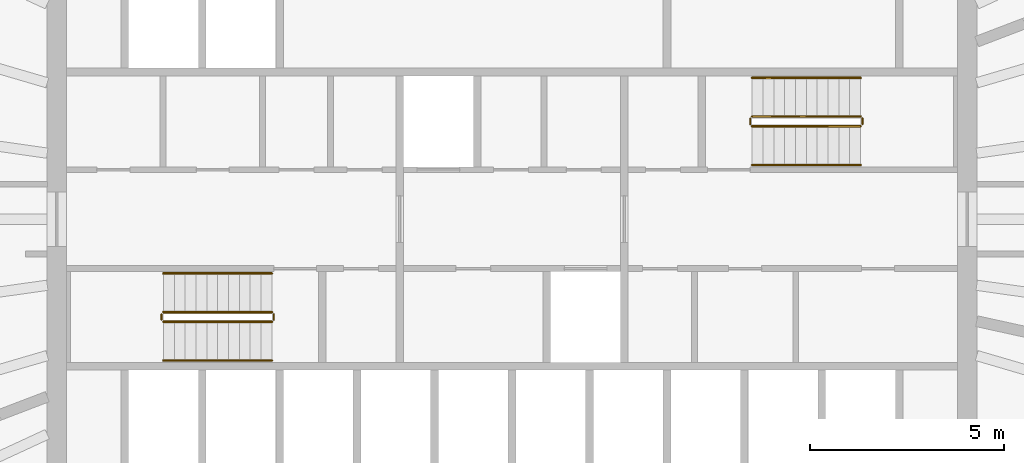
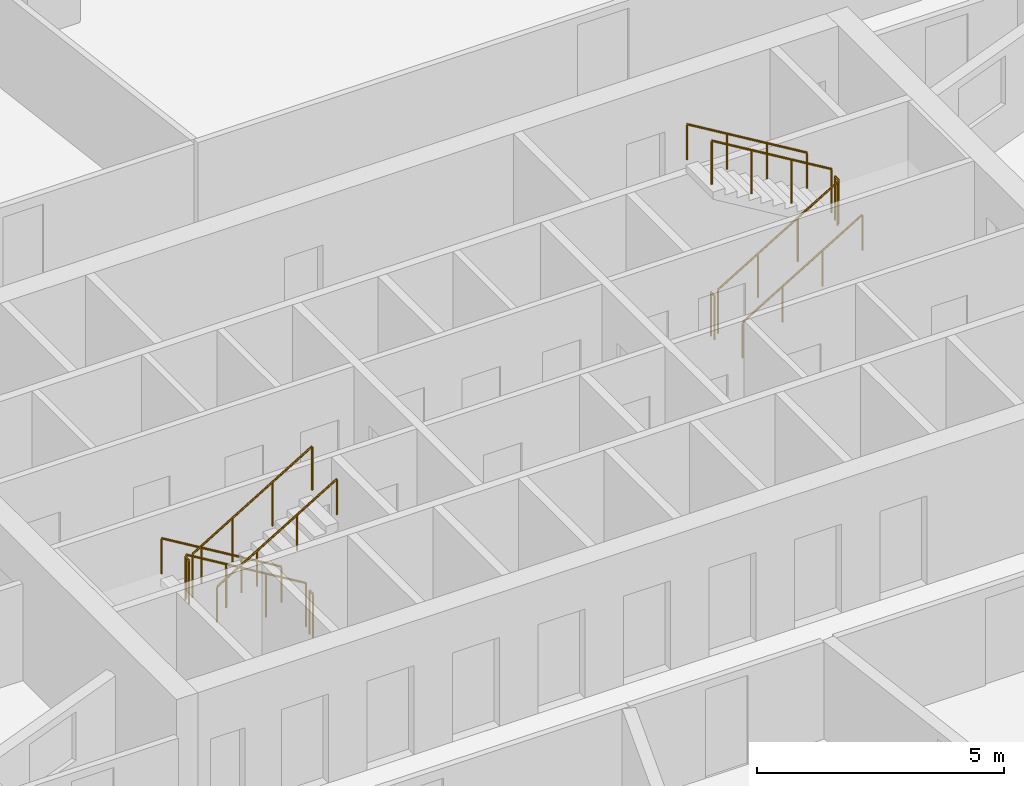
# One storey, part 12 of 12: 12 railings.
"""IFC4 building model written with IfcOpenShell, lengths in metres."""

from ifc_helpers import new_model, si_unit, direction, frame, origin, origin_2d, place, context, subcontext, project, spatial, circle, extrude, material, type_object, element, save


model = new_model("IFC4")

# Units and contexts
model_context = context("Model", 3, precision=1e-05, world=origin(), true_north=direction((0.0, 1.0)))
body_context = subcontext(model_context, "Body", "Model", "MODEL_VIEW")
ifc_project = project(units=[si_unit("LENGTHUNIT", "METRE"), si_unit("AREAUNIT", "SQUARE_METRE"), si_unit("VOLUMEUNIT", "CUBIC_METRE"), si_unit("PLANEANGLEUNIT", "RADIAN"), si_unit("MASSUNIT", "GRAM", prefix="KILO")], contexts=[model_context])

# Site, building, storey
site_placement = place(None, origin())
site = spatial("IfcSite", under=ifc_project, at=site_placement, CompositionType="ELEMENT")
building_placement = place(site_placement, origin())
building = spatial("IfcBuilding", under=site, at=building_placement, Name="Siaravel Broadcast Tower", CompositionType="ELEMENT")
storey_placement = place(building_placement, frame((0.0, 0.0, 137.800048828125)))
storey = spatial("IfcBuildingStorey", under=building, at=storey_placement, Name="L33", CompositionType="ELEMENT", Elevation=137.800048828125)

# Railings
ifc_material = material(Name="Stainless steel 316L", Category="steel")
railing_type_1 = type_object("IfcRailingType", Name="Stair guard 1100", PredefinedType="GUARDRAIL", material=ifc_material)
railing_1_placement = place(storey_placement, frame((-6.199951171875, -2.39990234375, 0.168212890625)))
element("IfcRailing", 1, at=railing_1_placement, inside=storey, type_object=railing_type_1, Name="L33 ST-1 stair guard 1", PredefinedType="GUARDRAIL", context=body_context, shape_type="SweptSolid", body=[
    extrude(circle(Radius=0.02392578125, at=origin_2d()), frame((0.0, 0.0, 1.076171875), z_axis=(-0.857275203, 0.0, 0.514858453), x_axis=(0.0, -1.0, 0.0)), (0.0, 0.0, 1.0), 3.26611328125),
    extrude(circle(Radius=0.02099609375, at=origin_2d()), origin(), (0.0, 0.0, 1.0), 1.052001953125),
    extrude(circle(Radius=0.02099609375, at=origin_2d()), frame((-0.933349609375, 0.0, 0.560546875)), (0.0, 0.0, 1.0), 1.052001953125),
    extrude(circle(Radius=0.02099609375, at=origin_2d()), frame((-1.86669921875, 0.0, 1.12109375)), (0.0, 0.0, 1.0), 1.052001953125),
    extrude(circle(Radius=0.02099609375, at=origin_2d()), frame((-2.800048828125, 0.0, 1.681640625)), (0.0, 0.0, 1.0), 1.052001953125),
])
railing_2_placement = place(storey_placement, frame((-9.050048828125, -2.449951171875, 1.849853515625)))
element("IfcRailing", 2, at=railing_2_placement, inside=storey, type_object=railing_type_1, Name="L33 ST-1 stair guard 2", PredefinedType="GUARDRAIL", context=body_context, shape_type="SweptSolid", body=[
    extrude(circle(Radius=0.02392578125, at=origin_2d()), frame((0.0, 0.0, 1.076171875), z_axis=(0.0, -1.0, 0.0), x_axis=(1.0, 0.0, 0.0)), (0.0, 0.0, 1.0), 0.150146484375),
    extrude(circle(Radius=0.02099609375, at=origin_2d()), origin(), (0.0, 0.0, 1.0), 1.052001953125),
    extrude(circle(Radius=0.02099609375, at=origin_2d()), frame((0.0, -0.150146484375, 0.0)), (0.0, 0.0, 1.0), 1.052001953125),
])
railing_3_placement = place(storey_placement, frame((-9.0, -2.64990234375, 2.01806640625)))
element("IfcRailing", 3, at=railing_3_placement, inside=storey, type_object=railing_type_1, Name="L33 ST-1 stair guard 3", PredefinedType="GUARDRAIL", context=body_context, shape_type="SweptSolid", body=[
    extrude(circle(Radius=0.02392578125, at=origin_2d()), frame((0.0, 0.0, 1.076171875), z_axis=(0.857242211, 0.0, 0.514913383), x_axis=(0.0, 1.0, 0.0)), (0.0, 0.0, 1.0), 3.266357421875),
    extrude(circle(Radius=0.02099609375, at=origin_2d()), origin(), (0.0, 0.0, 1.0), 1.052001953125),
    extrude(circle(Radius=0.02099609375, at=origin_2d()), frame((0.933349609375, 0.0, 0.560546875)), (0.0, 0.0, 1.0), 1.052001953125),
    extrude(circle(Radius=0.02099609375, at=origin_2d()), frame((1.86669921875, 0.0, 1.121337890625)), (0.0, 0.0, 1.0), 1.052001953125),
    extrude(circle(Radius=0.02099609375, at=origin_2d()), frame((2.800048828125, 0.0, 1.681884765625)), (0.0, 0.0, 1.0), 1.052001953125),
])
railing_4_placement = place(storey_placement, frame((-6.14990234375, -2.449951171875, 0.0)))
element("IfcRailing", 4, at=railing_4_placement, inside=storey, type_object=railing_type_1, Name="L33 ST-1 stair guard 4", PredefinedType="GUARDRAIL", context=body_context, shape_type="SweptSolid", body=[
    extrude(circle(Radius=0.02392578125, at=origin_2d()), frame((0.0, 0.0, 1.076171875), z_axis=(0.0, -1.0, 0.0), x_axis=(1.0, 0.0, 0.0)), (0.0, 0.0, 1.0), 0.150146484375),
    extrude(circle(Radius=0.02099609375, at=origin_2d()), origin(), (0.0, 0.0, 1.0), 1.052001953125),
    extrude(circle(Radius=0.02099609375, at=origin_2d()), frame((0.0, -0.150146484375, 0.0)), (0.0, 0.0, 1.0), 1.052001953125),
])
railing_5_placement = place(storey_placement, frame((6.199951171875, 2.39990234375, 0.168212890625)))
element("IfcRailing", 5, at=railing_5_placement, inside=storey, type_object=railing_type_1, Name="L33 ST-2 stair guard 1", PredefinedType="GUARDRAIL", context=body_context, shape_type="SweptSolid", body=[
    extrude(circle(Radius=0.02392578125, at=origin_2d()), frame((0.0, 0.0, 1.076171875), z_axis=(0.857275203, 0.0, 0.514858453), x_axis=(0.0, 1.0, 0.0)), (0.0, 0.0, 1.0), 3.26611328125),
    extrude(circle(Radius=0.02099609375, at=origin_2d()), origin(), (0.0, 0.0, 1.0), 1.052001953125),
    extrude(circle(Radius=0.02099609375, at=origin_2d()), frame((0.933349609375, 0.0, 0.560546875)), (0.0, 0.0, 1.0), 1.052001953125),
    extrude(circle(Radius=0.02099609375, at=origin_2d()), frame((1.86669921875, 0.0, 1.12109375)), (0.0, 0.0, 1.0), 1.052001953125),
    extrude(circle(Radius=0.02099609375, at=origin_2d()), frame((2.800048828125, 0.0, 1.681640625)), (0.0, 0.0, 1.0), 1.052001953125),
])
railing_6_placement = place(storey_placement, frame((9.050048828125, 2.449951171875, 1.849853515625)))
element("IfcRailing", 6, at=railing_6_placement, inside=storey, type_object=railing_type_1, Name="L33 ST-2 stair guard 2", PredefinedType="GUARDRAIL", context=body_context, shape_type="SweptSolid", body=[
    extrude(circle(Radius=0.02392578125, at=origin_2d()), frame((0.0, 0.0, 1.076171875), z_axis=(0.0, 1.0, 0.0), x_axis=(-1.0, 0.0, 0.0)), (0.0, 0.0, 1.0), 0.150146484375),
    extrude(circle(Radius=0.02099609375, at=origin_2d()), origin(), (0.0, 0.0, 1.0), 1.052001953125),
    extrude(circle(Radius=0.02099609375, at=origin_2d()), frame((0.0, 0.150146484375, 0.0)), (0.0, 0.0, 1.0), 1.052001953125),
])
railing_7_placement = place(storey_placement, frame((9.0, 2.64990234375, 2.01806640625)))
element("IfcRailing", 7, at=railing_7_placement, inside=storey, type_object=railing_type_1, Name="L33 ST-2 stair guard 3", PredefinedType="GUARDRAIL", context=body_context, shape_type="SweptSolid", body=[
    extrude(circle(Radius=0.02392578125, at=origin_2d()), frame((0.0, 0.0, 1.076171875), z_axis=(-0.857242211, 0.0, 0.514913383), x_axis=(0.0, -1.0, 0.0)), (0.0, 0.0, 1.0), 3.266357421875),
    extrude(circle(Radius=0.02099609375, at=origin_2d()), origin(), (0.0, 0.0, 1.0), 1.052001953125),
    extrude(circle(Radius=0.02099609375, at=origin_2d()), frame((-0.933349609375, 0.0, 0.560546875)), (0.0, 0.0, 1.0), 1.052001953125),
    extrude(circle(Radius=0.02099609375, at=origin_2d()), frame((-1.86669921875, 0.0, 1.121337890625)), (0.0, 0.0, 1.0), 1.052001953125),
    extrude(circle(Radius=0.02099609375, at=origin_2d()), frame((-2.800048828125, 0.0, 1.681884765625)), (0.0, 0.0, 1.0), 1.052001953125),
])
railing_8_placement = place(storey_placement, frame((6.14990234375, 2.449951171875, 0.0)))
element("IfcRailing", 8, at=railing_8_placement, inside=storey, type_object=railing_type_1, Name="L33 ST-2 stair guard 4", PredefinedType="GUARDRAIL", context=body_context, shape_type="SweptSolid", body=[
    extrude(circle(Radius=0.02392578125, at=origin_2d()), frame((0.0, 0.0, 1.076171875), z_axis=(0.0, 1.0, 0.0), x_axis=(-1.0, 0.0, 0.0)), (0.0, 0.0, 1.0), 0.150146484375),
    extrude(circle(Radius=0.02099609375, at=origin_2d()), origin(), (0.0, 0.0, 1.0), 1.052001953125),
    extrude(circle(Radius=0.02099609375, at=origin_2d()), frame((0.0, 0.150146484375, 0.0)), (0.0, 0.0, 1.0), 1.052001953125),
])
railing_type_2 = type_object("IfcRailingType", Name="Stair handrail 900", PredefinedType="HANDRAIL", material=ifc_material)
railing_9_placement = place(storey_placement, frame((-6.199951171875, -1.39990234375, 0.168212890625)))
element("IfcRailing", 9, at=railing_9_placement, inside=storey, type_object=railing_type_2, Name="L33 ST-1 stair handrail 1", PredefinedType="HANDRAIL", context=body_context, shape_type="SweptSolid", body=[
    extrude(circle(Radius=0.02392578125, at=origin_2d()), frame((0.0, 0.0, 0.8759765625), z_axis=(-0.857275203, 0.0, 0.514858453), x_axis=(0.0, -1.0, 0.0)), (0.0, 0.0, 1.0), 3.26611328125),
    extrude(circle(Radius=0.02099609375, at=origin_2d()), origin(), (0.0, 0.0, 1.0), 0.851806640625),
    extrude(circle(Radius=0.02099609375, at=origin_2d()), frame((-0.933349609375, 0.0, 0.560546875)), (0.0, 0.0, 1.0), 0.851806640625),
    extrude(circle(Radius=0.02099609375, at=origin_2d()), frame((-1.86669921875, 0.0, 1.12109375)), (0.0, 0.0, 1.0), 0.851806640625),
    extrude(circle(Radius=0.02099609375, at=origin_2d()), frame((-2.800048828125, 0.0, 1.681640625)), (0.0, 0.0, 1.0), 0.851806640625),
])
railing_10_placement = place(storey_placement, frame((-9.0, -3.64990234375, 2.01806640625)))
element("IfcRailing", 10, at=railing_10_placement, inside=storey, type_object=railing_type_2, Name="L33 ST-1 stair handrail 2", PredefinedType="HANDRAIL", context=body_context, shape_type="SweptSolid", body=[
    extrude(circle(Radius=0.02392578125, at=origin_2d()), frame((0.0, 0.0, 0.8759765625), z_axis=(0.857242211, 0.0, 0.514913383), x_axis=(0.0, 1.0, 0.0)), (0.0, 0.0, 1.0), 3.266357421875),
    extrude(circle(Radius=0.02099609375, at=origin_2d()), origin(), (0.0, 0.0, 1.0), 0.851806640625),
    extrude(circle(Radius=0.02099609375, at=origin_2d()), frame((0.933349609375, 0.0, 0.560546875)), (0.0, 0.0, 1.0), 0.851806640625),
    extrude(circle(Radius=0.02099609375, at=origin_2d()), frame((1.86669921875, 0.0, 1.121337890625)), (0.0, 0.0, 1.0), 0.851806640625),
    extrude(circle(Radius=0.02099609375, at=origin_2d()), frame((2.800048828125, 0.0, 1.681884765625)), (0.0, 0.0, 1.0), 0.851806640625),
])
railing_11_placement = place(storey_placement, frame((6.199951171875, 1.39990234375, 0.168212890625)))
element("IfcRailing", 11, at=railing_11_placement, inside=storey, type_object=railing_type_2, Name="L33 ST-2 stair handrail 1", PredefinedType="HANDRAIL", context=body_context, shape_type="SweptSolid", body=[
    extrude(circle(Radius=0.02392578125, at=origin_2d()), frame((0.0, 0.0, 0.8759765625), z_axis=(0.857275203, 0.0, 0.514858453), x_axis=(0.0, 1.0, 0.0)), (0.0, 0.0, 1.0), 3.26611328125),
    extrude(circle(Radius=0.02099609375, at=origin_2d()), origin(), (0.0, 0.0, 1.0), 0.851806640625),
    extrude(circle(Radius=0.02099609375, at=origin_2d()), frame((0.933349609375, 0.0, 0.560546875)), (0.0, 0.0, 1.0), 0.851806640625),
    extrude(circle(Radius=0.02099609375, at=origin_2d()), frame((1.86669921875, 0.0, 1.12109375)), (0.0, 0.0, 1.0), 0.851806640625),
    extrude(circle(Radius=0.02099609375, at=origin_2d()), frame((2.800048828125, 0.0, 1.681640625)), (0.0, 0.0, 1.0), 0.851806640625),
])
railing_12_placement = place(storey_placement, frame((9.0, 3.64990234375, 2.01806640625)))
element("IfcRailing", 12, at=railing_12_placement, inside=storey, type_object=railing_type_2, Name="L33 ST-2 stair handrail 2", PredefinedType="HANDRAIL", context=body_context, shape_type="SweptSolid", body=[
    extrude(circle(Radius=0.02392578125, at=origin_2d()), frame((0.0, 0.0, 0.8759765625), z_axis=(-0.857242211, 0.0, 0.514913383), x_axis=(0.0, -1.0, 0.0)), (0.0, 0.0, 1.0), 3.266357421875),
    extrude(circle(Radius=0.02099609375, at=origin_2d()), origin(), (0.0, 0.0, 1.0), 0.851806640625),
    extrude(circle(Radius=0.02099609375, at=origin_2d()), frame((-0.933349609375, 0.0, 0.560546875)), (0.0, 0.0, 1.0), 0.851806640625),
    extrude(circle(Radius=0.02099609375, at=origin_2d()), frame((-1.86669921875, 0.0, 1.121337890625)), (0.0, 0.0, 1.0), 0.851806640625),
    extrude(circle(Radius=0.02099609375, at=origin_2d()), frame((-2.800048828125, 0.0, 1.681884765625)), (0.0, 0.0, 1.0), 0.851806640625),
])

save(model, "model.ifc")
